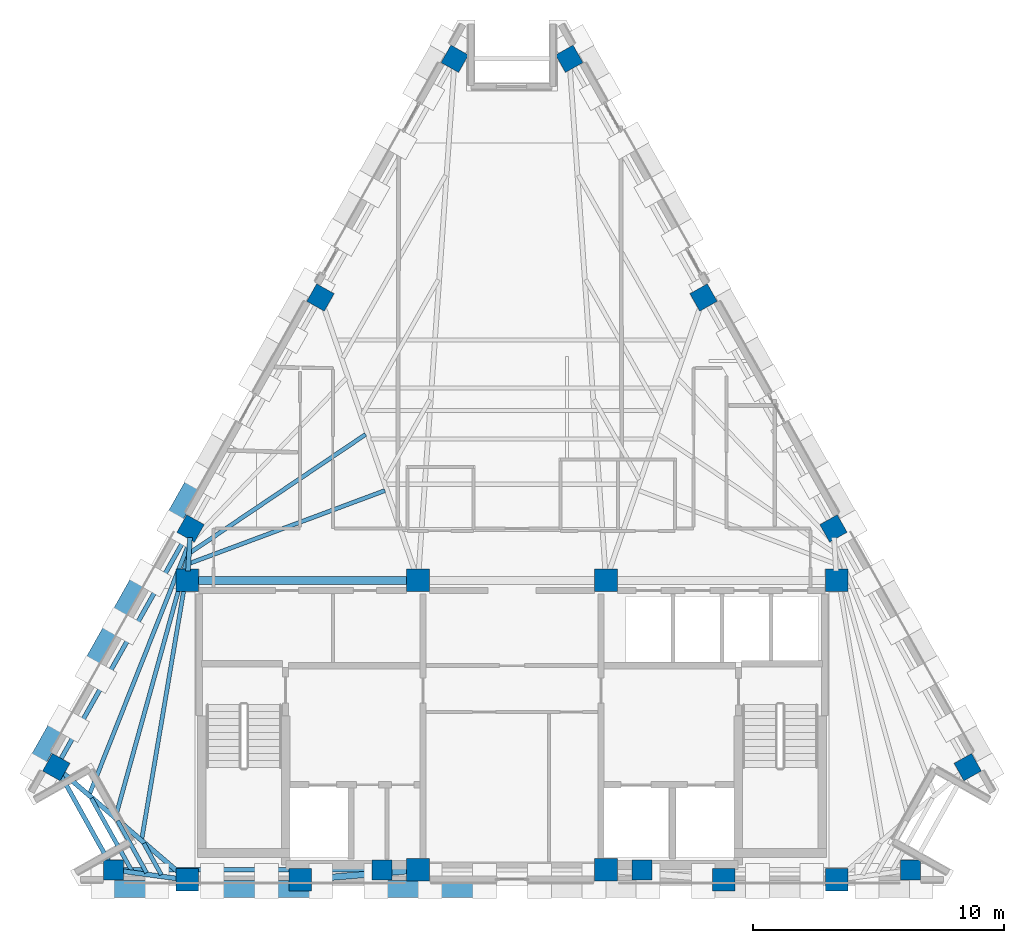
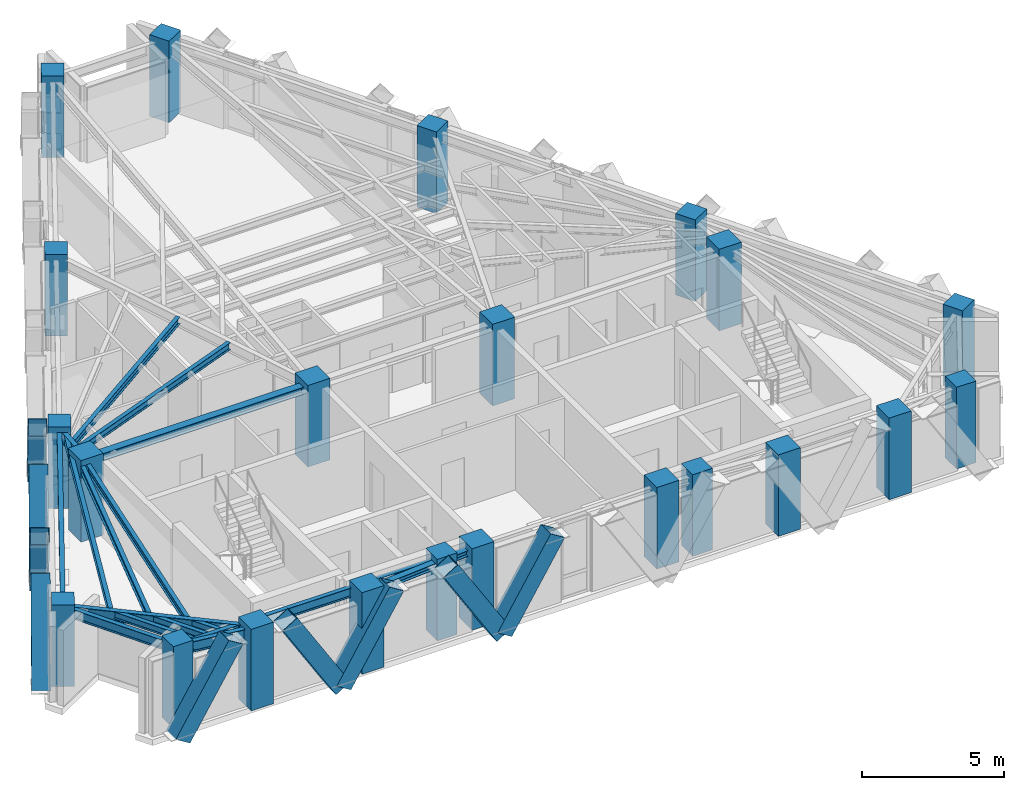
# One storey, part 1 of 9: 22 columns, 16 beams, 9 members.
"""IFC4 building model written with IfcOpenShell, lengths in metres."""

from ifc_helpers import new_model, si_unit, direction, frame, origin, origin_2d, place, context, subcontext, project, spatial, rectangle, hollow_rectangle, i_section, extrude, material, material_profile, profile_set, type_object, element, save


model = new_model("IFC4")

# Units and contexts
model_context = context("Model", 3, precision=1e-05, world=origin(), true_north=direction((0.0, 1.0)))
body_context = subcontext(model_context, "Body", "Model", "MODEL_VIEW")
ifc_project = project(units=[si_unit("LENGTHUNIT", "METRE"), si_unit("AREAUNIT", "SQUARE_METRE"), si_unit("VOLUMEUNIT", "CUBIC_METRE"), si_unit("PLANEANGLEUNIT", "RADIAN"), si_unit("MASSUNIT", "GRAM", prefix="KILO")], contexts=[model_context])

# Site, building, storey
site_placement = place(None, origin())
site = spatial("IfcSite", under=ifc_project, at=site_placement, CompositionType="ELEMENT")
building_placement = place(site_placement, origin())
building = spatial("IfcBuilding", under=site, at=building_placement, Name="Quenlor Broadcast Tower", CompositionType="ELEMENT")
storey_placement = place(building_placement, frame((0.0, 0.0, 239.39990234375)))
storey = spatial("IfcBuildingStorey", under=building, at=storey_placement, Name="L66", CompositionType="ELEMENT", Elevation=239.39990234375)

# Columns
ifc_material_1 = material(Name="Concrete C50/60", Category="concrete")
ifc_material_profile_1 = material_profile(ifc_material_1, rectangle(XDim=0.89990234375, YDim=0.89990234375, at=origin_2d()))
ifc_profile_set_1 = profile_set([ifc_material_profile_1], Name="Concrete C50/60 RC900x900")
column_type_1 = type_object("IfcColumnType", Name="Core Corner Column Upper Concrete C50/60 900", PredefinedType="COLUMN", material=ifc_profile_set_1)
for number, where, z_axis, x_axis, name in (
    (1, (-12.949951171875, -16.75, 0.0), (0.0, 0.0, 1.0), (1.0, 0.0, 0.0), "L66 Core Column CC1"),
    (2, (-8.449951171875, -16.75, 0.0), (0.0, 0.0, 1.0), (1.0, 0.0, 0.0), "L66 Core Column CC2"),
    (3, (-3.75, -16.35009765625, 0.0), (0.0, 0.0, 1.0), (1.0, 0.0, 0.0), "L66 Core Column CC3"),
    (4, (3.75, -16.35009765625, 0.0), (0.0, 0.0, 1.0), (1.0, 0.0, 0.0), "L66 Core Column CC4"),
    (5, (8.449951171875, -16.75, 0.0), (0.0, 0.0, 1.0), (1.0, 0.0, 0.0), "L66 Core Column CC5"),
    (6, (12.949951171875, -16.75, 0.0), (0.0, 0.0, 1.0), (1.0, 0.0, 0.0), "L66 Core Column CC6"),
    (7, (-12.949951171875, -4.800048828125, 0.0), (0.0, 0.0, 1.0), (1.0, 0.0, 0.0), "L66 Core Column CC7"),
    (8, (-3.75, -4.800048828125, 0.0), (0.0, 0.0, 1.0), (1.0, 0.0, 0.0), "L66 Core Column CC8"),
    (9, (3.75, -4.800048828125, 0.0), (0.0, 0.0, 1.0), (1.0, 0.0, 0.0), "L66 Core Column CC9"),
    (10, (12.949951171875, -4.800048828125, 0.0), (0.0, 0.0, 1.0), (1.0, 0.0, 0.0), "L66 Core Column CC10"),
):
    element("IfcColumn", number, at=place(storey_placement, frame(where, z_axis=z_axis, x_axis=x_axis)), inside=storey, type_object=column_type_1, Name=name, PredefinedType="COLUMN", context=body_context, shape_type="SweptSolid", body=[
        extrude(rectangle(XDim=0.89990234375, YDim=0.89990234375, at=origin_2d()), origin(), (0.0, 0.0, 1.0), 3.5),
    ])
ifc_material_2 = material(Name="Concrete C50/60", Category="concrete")
ifc_material_profile_2 = material_profile(ifc_material_2, rectangle(XDim=0.800048828125, YDim=0.800048828125, at=origin_2d()))
ifc_profile_set_2 = profile_set([ifc_material_profile_2], Name="Concrete C50/60 RC800x800")
column_type_2 = type_object("IfcColumnType", Name="Tower Perimeter Column Z5 Concrete C50/60 800", PredefinedType="COLUMN", material=ifc_profile_set_2)
for number, where, z_axis, x_axis, name in (
    (11, (-15.897705078125, -16.35009765625, 0.0), (0.0, 0.0, 1.0), (0.0, 1.0, 0.0), "L66 Perimeter Column S1"),
    (12, (-5.18408203125, -16.35009765625, 0.0), (0.0, 0.0, 1.0), (0.0, 1.0, 0.0), "L66 Perimeter Column S2"),
    (13, (5.18408203125, -16.35009765625, 0.0), (0.0, 0.0, 1.0), (0.0, 1.0, 0.0), "L66 Perimeter Column S3"),
    (14, (15.897705078125, -16.35009765625, 0.0), (0.0, 0.0, 1.0), (0.0, 1.0, 0.0), "L66 Perimeter Column S4"),
    (15, (18.182373046875, -12.25, 0.0), (0.0, 0.0, 1.0), (0.871575139605, 0.490261946333, 0.0), "L66 Perimeter Column NE1"),
    (16, (12.825439453125, -2.726806640625, 0.0), (0.0, 0.0, 1.0), (0.871575139605, 0.490261946333, 0.0), "L66 Perimeter Column NE2"),
    (17, (7.6416015625, 6.4892578125, 0.0), (0.0, 0.0, 1.0), (0.871575139605, 0.490261946333, 0.0), "L66 Perimeter Column NE3"),
    (18, (2.28466796875, 16.012451171875, 0.0), (0.0, 0.0, 1.0), (0.871575139605, 0.490261946333, 0.0), "L66 Perimeter Column NE4"),
    (19, (-2.28466796875, 16.012451171875, 0.0), (0.0, 0.0, 1.0), (-0.871575139605, 0.490261946333, 0.0), "L66 Perimeter Column NW1"),
    (20, (-7.6416015625, 6.4892578125, 0.0), (0.0, 0.0, 1.0), (-0.871575139605, 0.490261946333, 0.0), "L66 Perimeter Column NW2"),
    (21, (-12.825439453125, -2.726806640625, 0.0), (0.0, 0.0, 1.0), (-0.871575139605, 0.490261946333, 0.0), "L66 Perimeter Column NW3"),
    (22, (-18.182373046875, -12.25, 0.0), (0.0, 0.0, 1.0), (-0.871575139605, 0.490261946333, 0.0), "L66 Perimeter Column NW4"),
):
    element("IfcColumn", number, at=place(storey_placement, frame(where, z_axis=z_axis, x_axis=x_axis)), inside=storey, type_object=column_type_2, Name=name, PredefinedType="COLUMN", context=body_context, shape_type="SweptSolid", body=[
        extrude(rectangle(XDim=0.800048828125, YDim=0.800048828125, at=origin_2d()), origin(), (0.0, 0.0, 1.0), 3.5),
    ])

# Beams
ifc_material_3 = material(Name="Steel S355", Category="steel")
ifc_material_profile_3 = material_profile(ifc_material_3, i_section(OverallWidth=0.25390625, OverallDepth=0.25390625, WebThickness=0.008544921875, FlangeThickness=0.01416015625, FilletRadius=0.013916015625, at=origin_2d()))
ifc_profile_set_3 = profile_set([ifc_material_profile_3], Name="Steel S355 250UC72.9")
beam_type_1 = type_object("IfcBeamType", Name="Core Opening Lintel Beam Steel S355 250UC72.9", PredefinedType="LINTEL", material=ifc_profile_set_3)
beam_1_placement = place(storey_placement, frame((-8.09130859375, -16.719482421875, 3.123291015625), z_axis=(0.996399763903, 0.084779186679, 0.0), x_axis=(-0.084779186679, 0.996399763903, 0.0)))
element("IfcBeam", 23, at=beam_1_placement, inside=storey, type_object=beam_type_1, Name="L66 Core Opening Lintel Beam 4", PredefinedType="LINTEL", context=body_context, shape_type="SweptSolid", body=[
    extrude(i_section(OverallWidth=0.25390625, OverallDepth=0.25390625, WebThickness=0.008544921875, FlangeThickness=0.01416015625, FilletRadius=0.013916015625, at=origin_2d()), origin(), (0.0, 0.0, 1.0), 3.9970703125),
])
ifc_material_4 = material(Name="Steel S355", Category="steel")
ifc_material_profile_4 = material_profile(ifc_material_4, i_section(OverallWidth=0.306884765625, OverallDepth=0.314697265625, WebThickness=0.011962890625, FlangeThickness=0.018798828125, FilletRadius=0.0166015625, at=origin_2d()))
ifc_profile_set_4 = profile_set([ifc_material_profile_4], Name="Steel S355 310UC118")
beam_type_2 = type_object("IfcBeamType", Name="Core Tie Beam Steel S355 310UC118", PredefinedType="BEAM", material=ifc_profile_set_4)
beam_2_placement = place(storey_placement, frame((-12.590087890625, -4.800048828125, 3.0927734375), z_axis=(1.0, 0.0, 0.0), x_axis=(0.0, 1.0, 0.0)))
element("IfcBeam", 24, at=beam_2_placement, inside=storey, type_object=beam_type_2, Name="L66 Core Tie Beam 1", PredefinedType="BEAM", context=body_context, shape_type="SweptSolid", body=[
    extrude(i_section(OverallWidth=0.306884765625, OverallDepth=0.314697265625, WebThickness=0.011962890625, FlangeThickness=0.018798828125, FilletRadius=0.0166015625, at=origin_2d()), origin(), (0.0, 0.0, 1.0), 8.47998046875),
])

# Members
ifc_material_5 = material(Name="Steel S355", Category="steel")
ifc_material_profile_5 = material_profile(ifc_material_5, hollow_rectangle(XDim=0.679931640625, YDim=0.679931640625, WallThickness=0.02001953125, at=origin_2d()))
ifc_profile_set_5 = profile_set([ifc_material_profile_5], Name="Steel S355 RHS680x680x20")
member_type = type_object("IfcMemberType", Name="Perimeter Diagonal Lattice Brace Z5-Crown Steel S355 RHS680x20", PredefinedType="BRACE", material=ifc_profile_set_5)
member_1_placement = place(storey_placement, frame((-3.2529296875, -17.1201171875, -0.119873046875), z_axis=(0.523616565236, 0.0, 0.85195404372), x_axis=(0.0, 1.0, 0.0)))
element("IfcMember", 25, at=member_1_placement, inside=storey, type_object=member_type, Name="L66 Perimeter Diamond Lattice S-C3B", PredefinedType="BRACE", context=body_context, shape_type="SweptSolid", body=[
    extrude(hollow_rectangle(XDim=0.679931640625, YDim=0.679931640625, WallThickness=0.02001953125, at=origin_2d()), origin(), (0.0, 0.0, 1.0), 4.108154296875),
])
member_2_placement = place(storey_placement, frame((-3.279052734375, -17.1201171875, -0.119873046875), z_axis=(-0.5236596973, 0.0, 0.851927532965), x_axis=(0.0, -1.0, 0.0)))
element("IfcMember", 26, at=member_2_placement, inside=storey, type_object=member_type, Name="L66 Perimeter Diamond Lattice S-C4S", PredefinedType="BRACE", context=body_context, shape_type="SweptSolid", body=[
    extrude(hollow_rectangle(XDim=0.679931640625, YDim=0.679931640625, WallThickness=0.02001953125, at=origin_2d()), origin(), (0.0, 0.0, 1.0), 4.1083984375),
])
member_3_placement = place(storey_placement, frame((-9.784912109375, -17.1201171875, -0.119873046875), z_axis=(0.523616565236, 0.0, 0.85195404372), x_axis=(0.0, 1.0, 0.0)))
element("IfcMember", 27, at=member_3_placement, inside=storey, type_object=member_type, Name="L66 Perimeter Diamond Lattice S-C4B", PredefinedType="BRACE", context=body_context, shape_type="SweptSolid", body=[
    extrude(hollow_rectangle(XDim=0.679931640625, YDim=0.679931640625, WallThickness=0.02001953125, at=origin_2d()), origin(), (0.0, 0.0, 1.0), 4.108154296875),
])
member_4_placement = place(storey_placement, frame((-9.81103515625, -17.1201171875, -0.119873046875), z_axis=(-0.5236596973, 0.0, 0.851927532965), x_axis=(0.0, -1.0, 0.0)))
element("IfcMember", 28, at=member_4_placement, inside=storey, type_object=member_type, Name="L66 Perimeter Diamond Lattice S-C5S", PredefinedType="BRACE", context=body_context, shape_type="SweptSolid", body=[
    extrude(hollow_rectangle(XDim=0.679931640625, YDim=0.679931640625, WallThickness=0.02001953125, at=origin_2d()), origin(), (0.0, 0.0, 1.0), 4.1083984375),
])
member_5_placement = place(storey_placement, frame((-16.31689453125, -17.1201171875, -0.119873046875), z_axis=(0.523616565236, 0.0, 0.85195404372), x_axis=(0.0, 1.0, 0.0)))
element("IfcMember", 29, at=member_5_placement, inside=storey, type_object=member_type, Name="L66 Perimeter Diamond Lattice S-C5B", PredefinedType="BRACE", context=body_context, shape_type="SweptSolid", body=[
    extrude(hollow_rectangle(XDim=0.679931640625, YDim=0.679931640625, WallThickness=0.02001953125, at=origin_2d()), origin(), (0.0, 0.0, 1.0), 4.108154296875),
])
for number, where, z_axis, x_axis, name in (
    (30, (-19.072265625, -12.261474609375, -0.119873046875), (0.260563732169, 0.463283497491, 0.847038926161), (-0.871602253711, 0.49021374045, 0.0), "L66 Perimeter Diamond Lattice NW-C1S"),
    (31, (-15.815673828125, -6.471923828125, -0.119873046875), (-0.260618804175, -0.463276364439, 0.847025884529), (0.8715547569, -0.490298180422, 0.0), "L66 Perimeter Diamond Lattice NW-C1B"),
    (32, (-15.802490234375, -6.44873046875, -0.119873046875), (0.260563732169, 0.463283497491, 0.847038926161), (-0.871602253711, 0.49021374045, 0.0), "L66 Perimeter Diamond Lattice NW-C2S"),
    (33, (-12.5458984375, -0.6591796875, -0.119873046875), (-0.260618804175, -0.463276364439, 0.847025884529), (0.8715547569, -0.490298180422, 0.0), "L66 Perimeter Diamond Lattice NW-C2B"),
):
    element("IfcMember", number, at=place(storey_placement, frame(where, z_axis=z_axis, x_axis=x_axis)), inside=storey, type_object=member_type, Name=name, PredefinedType="BRACE", context=body_context, shape_type="SweptSolid", body=[
        extrude(hollow_rectangle(XDim=0.679931640625, YDim=0.679931640625, WallThickness=0.02001953125, at=origin_2d()), origin(), (0.0, 0.0, 1.0), 4.132080078125),
    ])

# Beams
ifc_material_6 = material(Name="Steel S355", Category="steel")
ifc_material_profile_6 = material_profile(ifc_material_6, i_section(OverallWidth=0.177978515625, OverallDepth=0.406494140625, WebThickness=0.0078125, FlangeThickness=0.0126953125, FilletRadius=0.011474609375, at=origin_2d()))
ifc_profile_set_6 = profile_set([ifc_material_profile_6], Name="Steel S355 410UB59.7")
beam_type_3 = type_object("IfcBeamType", Name="Perimeter Spandrel Beam Z5 Steel S355 410UB59.7", PredefinedType="SPANDREL", material=ifc_profile_set_6)
beam_3_placement = place(storey_placement, frame((-15.53759765625, -16.35009765625, 3.046875), z_axis=(1.0, 0.0, 0.0), x_axis=(0.0, 1.0, 0.0)))
element("IfcBeam", 34, at=beam_3_placement, inside=storey, type_object=beam_type_3, Name="L66 Spandrel Beam S1-S2", PredefinedType="SPANDREL", context=body_context, shape_type="SweptSolid", body=[
    extrude(i_section(OverallWidth=0.177978515625, OverallDepth=0.406494140625, WebThickness=0.0078125, FlangeThickness=0.0126953125, FilletRadius=0.011474609375, at=origin_2d()), origin(), (0.0, 0.0, 1.0), 9.99365234375),
])
beam_4_placement = place(storey_placement, frame((-13.001953125, -3.04052734375, 3.046875), z_axis=(-0.490274867878, -0.871567871096, 0.0), x_axis=(0.871567871096, -0.490274867878, 0.0)))
element("IfcBeam", 35, at=beam_4_placement, inside=storey, type_object=beam_type_3, Name="L66 Spandrel Beam NW3-NW4", PredefinedType="SPANDREL", context=body_context, shape_type="SweptSolid", body=[
    extrude(i_section(OverallWidth=0.177978515625, OverallDepth=0.406494140625, WebThickness=0.0078125, FlangeThickness=0.0126953125, FilletRadius=0.011474609375, at=origin_2d()), origin(), (0.0, 0.0, 1.0), 10.206298828125),
])
beam_5_placement = place(storey_placement, frame((-18.007080078125, -12.564453125, 3.046875), z_axis=(0.486800618374, -0.873513112638, 0.0), x_axis=(0.873513112638, 0.486800618374, 0.0)))
element("IfcBeam", 36, at=beam_5_placement, inside=storey, type_object=beam_type_3, Name="L66 Spandrel Beam NW4-S1", PredefinedType="SPANDREL", context=body_context, shape_type="SweptSolid", body=[
    extrude(i_section(OverallWidth=0.177978515625, OverallDepth=0.406494140625, WebThickness=0.0078125, FlangeThickness=0.0126953125, FilletRadius=0.011474609375, at=origin_2d()), origin(), (0.0, 0.0, 1.0), 3.9736328125),
])
ifc_material_7 = material(Name="Steel S355", Category="steel")
ifc_material_profile_7 = material_profile(ifc_material_7, i_section(OverallWidth=0.166015625, OverallDepth=0.30712890625, WebThickness=0.006591796875, FlangeThickness=0.01171875, FilletRadius=0.011474609375, at=origin_2d()))
ifc_profile_set_7 = profile_set([ifc_material_profile_7], Name="Steel S355 310UB46.2")
beam_type_4 = type_object("IfcBeamType", Name="Tower Composite Joist Z4-Z5 Steel S355 310UB46.2", PredefinedType="JOIST", material=ifc_profile_set_7)
beam_6_placement = place(storey_placement, frame((-12.835205078125, -4.108642578125, 3.096435546875), z_axis=(0.937062080226, 0.349162795559, 0.0), x_axis=(-0.349162795559, 0.937062080226, 0.0)))
element("IfcBeam", 37, at=beam_6_placement, inside=storey, type_object=beam_type_4, Name="L66 Secondary Composite Joist 7", PredefinedType="JOIST", context=body_context, shape_type="SweptSolid", body=[
    extrude(i_section(OverallWidth=0.166015625, OverallDepth=0.30712890625, WebThickness=0.006591796875, FlangeThickness=0.01171875, FilletRadius=0.011474609375, at=origin_2d()), origin(), (0.0, 0.0, 1.0), 8.286376953125),
])
beam_7_placement = place(storey_placement, frame((-12.81884765625, -3.67724609375, 3.096435546875), z_axis=(0.829286301475, 0.558823970661, 0.0), x_axis=(-0.558823970661, 0.829286301475, 0.0)))
element("IfcBeam", 38, at=beam_7_placement, inside=storey, type_object=beam_type_4, Name="L66 Secondary Composite Joist 8", PredefinedType="JOIST", context=body_context, shape_type="SweptSolid", body=[
    extrude(i_section(OverallWidth=0.166015625, OverallDepth=0.30712890625, WebThickness=0.006591796875, FlangeThickness=0.01171875, FilletRadius=0.011474609375, at=origin_2d()), origin(), (0.0, 0.0, 1.0), 8.415771484375),
])
beam_8_placement = place(storey_placement, frame((-14.76806640625, -15.09619140625, 3.096435546875), z_axis=(0.166553293246, 0.986032454085, 0.0), x_axis=(-0.986032454085, 0.166553293246, 0.0)))
element("IfcBeam", 39, at=beam_8_placement, inside=storey, type_object=beam_type_4, Name="L66 Secondary Composite Joist 13", PredefinedType="JOIST", context=body_context, shape_type="SweptSolid", body=[
    extrude(i_section(OverallWidth=0.166015625, OverallDepth=0.30712890625, WebThickness=0.006591796875, FlangeThickness=0.01171875, FilletRadius=0.011474609375, at=origin_2d()), origin(), (0.0, 0.0, 1.0), 11.097900390625),
])
beam_9_placement = place(storey_placement, frame((-15.806396484375, -14.197998046875, 3.096435546875), z_axis=(0.26744552871, 0.96357298072, 0.0), x_axis=(-0.96357298072, 0.26744552871, 0.0)))
element("IfcBeam", 40, at=beam_9_placement, inside=storey, type_object=beam_type_4, Name="L66 Secondary Composite Joist 14", PredefinedType="JOIST", context=body_context, shape_type="SweptSolid", body=[
    extrude(i_section(OverallWidth=0.166015625, OverallDepth=0.30712890625, WebThickness=0.006591796875, FlangeThickness=0.01171875, FilletRadius=0.011474609375, at=origin_2d()), origin(), (0.0, 0.0, 1.0), 10.856689453125),
])
beam_10_placement = place(storey_placement, frame((-16.8447265625, -13.300537109375, 3.096435546875), z_axis=(0.368680258049, 0.929556274426, 0.0), x_axis=(-0.929556274426, 0.368680258049, 0.0)))
element("IfcBeam", 41, at=beam_10_placement, inside=storey, type_object=beam_type_4, Name="L66 Secondary Composite Joist 15", PredefinedType="JOIST", context=body_context, shape_type="SweptSolid", body=[
    extrude(i_section(OverallWidth=0.166015625, OverallDepth=0.30712890625, WebThickness=0.006591796875, FlangeThickness=0.01171875, FilletRadius=0.011474609375, at=origin_2d()), origin(), (0.0, 0.0, 1.0), 10.737548828125),
])
beam_11_placement = place(storey_placement, frame((-13.9912109375, -16.544189453125, 3.096435546875), z_axis=(-0.486624304452, 0.873611347406, 0.0), x_axis=(-0.873611347406, -0.486624304452, 0.0)))
element("IfcBeam", 42, at=beam_11_placement, inside=storey, type_object=beam_type_4, Name="L66 Secondary Composite Joist 19", PredefinedType="JOIST", context=body_context, shape_type="SweptSolid", body=[
    extrude(i_section(OverallWidth=0.166015625, OverallDepth=0.30712890625, WebThickness=0.006591796875, FlangeThickness=0.01171875, FilletRadius=0.011474609375, at=origin_2d()), origin(), (0.0, 0.0, 1.0), 1.435791015625),
])
beam_12_placement = place(storey_placement, frame((-14.58056640625, -16.464111328125, 3.096435546875), z_axis=(-0.486820963037, 0.873501774439, 0.0), x_axis=(-0.873501774439, -0.486820963037, 0.0)))
element("IfcBeam", 43, at=beam_12_placement, inside=storey, type_object=beam_type_4, Name="L66 Secondary Composite Joist 20", PredefinedType="JOIST", context=body_context, shape_type="SweptSolid", body=[
    extrude(i_section(OverallWidth=0.166015625, OverallDepth=0.30712890625, WebThickness=0.006591796875, FlangeThickness=0.01171875, FilletRadius=0.011474609375, at=origin_2d()), origin(), (0.0, 0.0, 1.0), 2.37451171875),
])
beam_13_placement = place(storey_placement, frame((-15.170166015625, -16.384033203125, 3.096435546875), z_axis=(-0.486762404011, 0.873534408046, 0.0), x_axis=(-0.873534408046, -0.486762404011, 0.0)))
element("IfcBeam", 44, at=beam_13_placement, inside=storey, type_object=beam_type_4, Name="L66 Secondary Composite Joist 21", PredefinedType="JOIST", context=body_context, shape_type="SweptSolid", body=[
    extrude(i_section(OverallWidth=0.166015625, OverallDepth=0.30712890625, WebThickness=0.006591796875, FlangeThickness=0.01171875, FilletRadius=0.011474609375, at=origin_2d()), origin(), (0.0, 0.0, 1.0), 3.313232421875),
])
ifc_material_8 = material(Name="Steel S355", Category="steel")
ifc_material_profile_8 = material_profile(ifc_material_8, i_section(OverallWidth=0.19091796875, OverallDepth=0.46044921875, WebThickness=0.010009765625, FlangeThickness=0.01611328125, FilletRadius=0.011474609375, at=origin_2d()))
ifc_profile_set_8 = profile_set([ifc_material_profile_8], Name="Steel S355 460UB82.1")
beam_type_5 = type_object("IfcBeamType", Name="Tower Primary Floor Beam Z5 Steel S355 460UB82.1", PredefinedType="BEAM", material=ifc_profile_set_8)
beam_14_placement = place(storey_placement, frame((-15.541015625, -16.3984375, 3.02001953125), z_axis=(0.990917044125, -0.134474576267, 0.0), x_axis=(0.134474576267, 0.990917044125, 0.0)))
element("IfcBeam", 45, at=beam_14_placement, inside=storey, type_object=beam_type_5, Name="L66 Primary Radial Beam S1", PredefinedType="BEAM", context=body_context, shape_type="SweptSolid", body=[
    extrude(i_section(OverallWidth=0.19091796875, OverallDepth=0.46044921875, WebThickness=0.010009765625, FlangeThickness=0.01611328125, FilletRadius=0.011474609375, at=origin_2d()), origin(), (0.0, 0.0, 1.0), 2.23486328125),
])
beam_15_placement = place(storey_placement, frame((-12.84716796875, -3.086181640625, 3.02001953125), z_axis=(-0.059899569349, -0.998204408722, 0.0), x_axis=(0.998204408722, -0.059899569349, 0.0)))
element("IfcBeam", 46, at=beam_15_placement, inside=storey, type_object=beam_type_5, Name="L66 Primary Radial Beam NW3", PredefinedType="BEAM", context=body_context, shape_type="SweptSolid", body=[
    extrude(i_section(OverallWidth=0.19091796875, OverallDepth=0.46044921875, WebThickness=0.010009765625, FlangeThickness=0.01611328125, FilletRadius=0.011474609375, at=origin_2d()), origin(), (0.0, 0.0, 1.0), 1.3369140625),
])
beam_16_placement = place(storey_placement, frame((-17.909423828125, -12.484619140625, 3.02001953125), z_axis=(0.75817030855, -0.652056579779, 0.0), x_axis=(0.652056579779, 0.75817030855, 0.0)))
element("IfcBeam", 47, at=beam_16_placement, inside=storey, type_object=beam_type_5, Name="L66 Primary Radial Beam NW4", PredefinedType="BEAM", context=body_context, shape_type="SweptSolid", body=[
    extrude(i_section(OverallWidth=0.19091796875, OverallDepth=0.46044921875, WebThickness=0.010009765625, FlangeThickness=0.01611328125, FilletRadius=0.011474609375, at=origin_2d()), origin(), (0.0, 0.0, 1.0), 6.161376953125),
])

save(model, "model.ifc")
